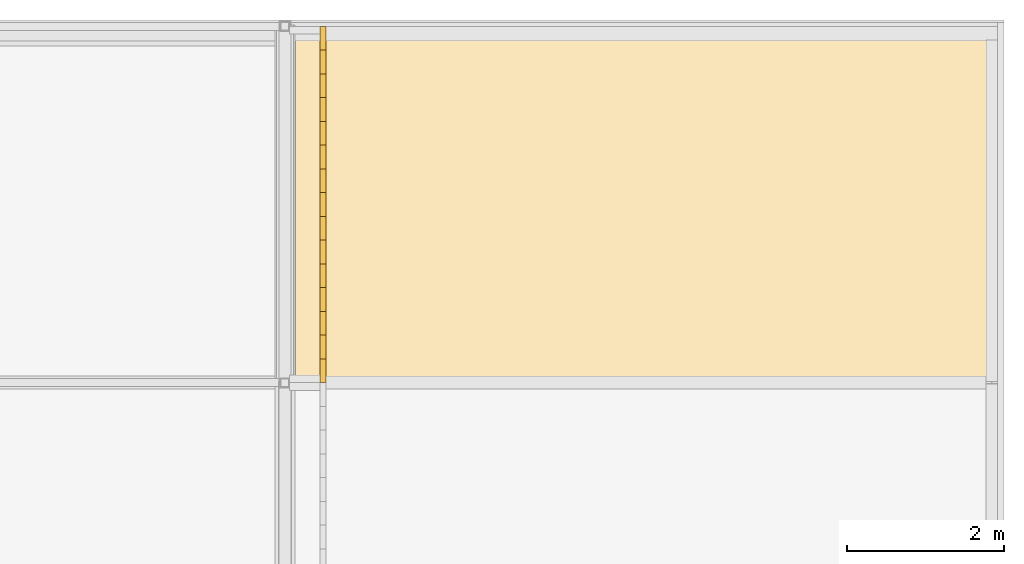
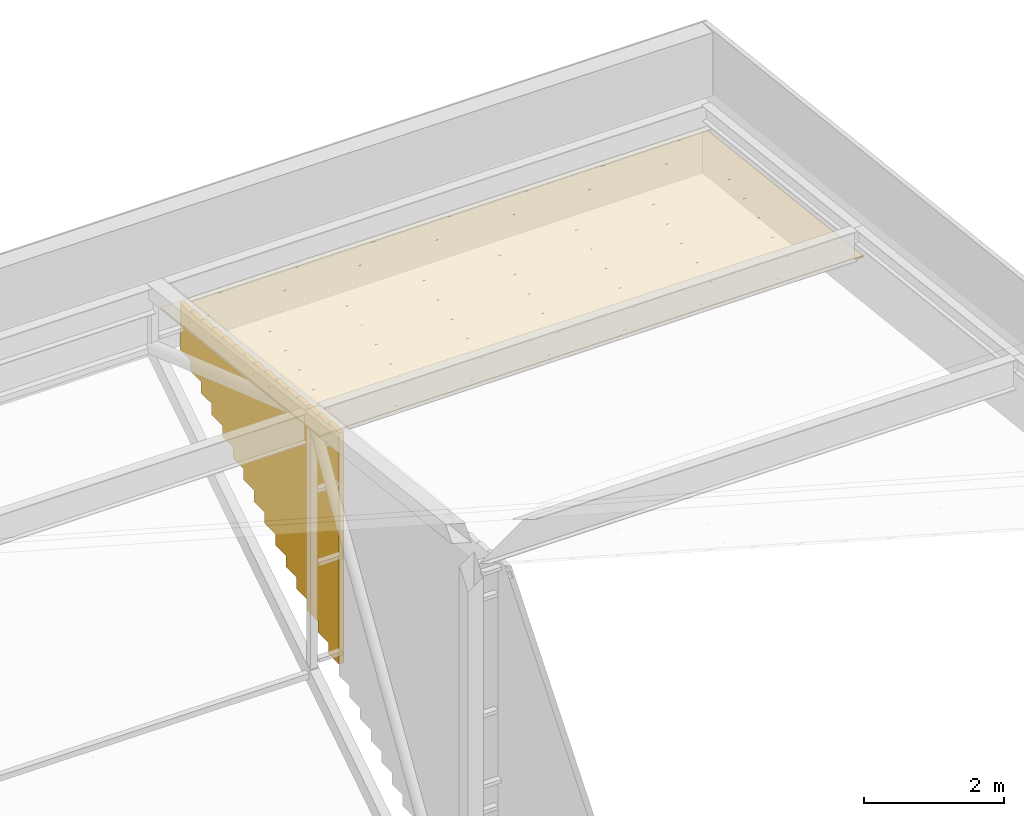
# One storey, part 500 of 500: 1 covering, 1 shading device.
"""IFC4 building model written with IfcOpenShell, lengths in metres."""

from ifc_helpers import new_model, si_unit, direction, frame, origin, origin_2d, place, context, subcontext, project, spatial, polyline, rectangle, outline, extrude, material, layer, layer_set, type_object, element, save


model = new_model("IFC4")

# Units and contexts
model_context = context("Model", 3, precision=1e-05, world=origin(), true_north=direction((0.0, 1.0)))
body_context = subcontext(model_context, "Body", "Model", "MODEL_VIEW")
ifc_project = project(units=[si_unit("LENGTHUNIT", "METRE"), si_unit("AREAUNIT", "SQUARE_METRE"), si_unit("VOLUMEUNIT", "CUBIC_METRE"), si_unit("PLANEANGLEUNIT", "RADIAN"), si_unit("MASSUNIT", "GRAM", prefix="KILO")], contexts=[model_context])

# Site, building, storey
site_placement = place(None, origin())
site = spatial("IfcSite", under=ifc_project, at=site_placement, CompositionType="ELEMENT")
building_placement = place(site_placement, origin())
building = spatial("IfcBuilding", under=site, at=building_placement, Name="Shirokan Park Arena", CompositionType="ELEMENT")
storey_placement = place(building_placement, frame((0.0, 0.0, 29.1201171875)))
storey = spatial("IfcBuildingStorey", under=building, at=storey_placement, Name="L06", CompositionType="ELEMENT", Elevation=29.1201171875)

# Covering
ifc_material_1 = material(Name="Timber soffit boards (cedar)", Category="wood")
ifc_layer = layer(ifc_material_1, 0.030029296875)
ifc_layer_set = layer_set([ifc_layer], Name="Timber soffit boards (cedar) 30 mm")
covering_type = type_object("IfcCoveringType", Name="Timber boarded soffit panel", PredefinedType="CLADDING", material=ifc_layer_set)
covering_placement = place(storey_placement, origin())
element("IfcCovering", 1, at=covering_placement, inside=storey, type_object=covering_type, Name="Rake soffit east bay 28", PredefinedType="CLADDING", context=body_context, shape_type="SweptSolid", body=[
    extrude(outline(polyline([(0.0, 0.0), (0.12000000000000455, 0.0), (0.12000000000000455, -4.579617887990218), (0.0, -4.579617887990218), (0.0, 0.0)])), frame((145.846923828125, 113.75, 11.701904296875), z_axis=(0.0, 0.113546591161, 0.993532672656), x_axis=(-1.0, 0.0, 0.0)), (0.0, 0.0, -1.0), 0.030029296875),
    extrude(outline(polyline([(0.0, 0.0), (0.11999999999997613, 0.0), (0.11999999999997613, -4.579617887990217), (0.0, -4.579617887990217), (0.0, 0.0)])), frame((154.580078125, 118.300048828125, 11.181884765625), z_axis=(0.0, 0.113546591161, 0.993532672656), x_axis=(1.0, 0.0, 0.0)), (0.0, 0.0, -1.0), 0.030029296875),
    extrude(outline(polyline([(0.0, 0.0), (0.12078064455862855, 0.0), (0.12078064455862855, -8.733000000000006), (0.0, -8.733000000000006), (0.0, 0.0)])), frame((154.580078125, 118.300048828125, 11.181884765625), z_axis=(0.0, 0.11351156512, 0.993536675007), x_axis=(0.0, -0.993536675007, 0.11351156512)), (0.0, 0.0, -1.0), 0.030029296875),
    extrude(outline(polyline([(0.0, 0.0), (0.12078064455864267, 0.0), (0.12078064455864267, -8.733000000000004), (0.0, -8.733000000000004), (0.0, 0.0)])), frame((145.846923828125, 113.75, 11.701904296875), z_axis=(0.0, 0.11351156512, 0.993536675007), x_axis=(0.0, 0.993536675007, -0.11351156512)), (0.0, 0.0, -1.0), 0.030029296875),
    extrude(outline(polyline([(0.0, 0.0), (8.733000000000004, 0.0), (8.733000000000004, -0.18452428160000886), (0.0, -0.18452428160000886), (0.0, 0.0)])), frame((154.580078125, 113.8701171875, 11.688232421875), z_axis=(0.0, 0.113589386818, 0.99352778079), x_axis=(-1.0, 0.0, 0.0)), (0.0, 0.0, -1.0), 0.030029296875),
    extrude(outline(polyline([(0.0, 0.0), (8.733000000000004, 0.0), (8.733000000000004, -0.30531372586242256), (0.0, -0.30531372586242256), (0.0, 0.0)])), frame((154.580078125, 114.05322265625, 11.667236328125), z_axis=(0.0, 0.113522573877, 0.993535417195), x_axis=(-1.0, 0.0, 0.0)), (0.0, 0.0, -1.0), 0.030029296875),
    extrude(outline(polyline([(0.0, 0.0), (8.733000000000004, 0.0), (8.733000000000004, -0.30530492593471437), (0.0, -0.30530492593471437), (0.0, 0.0)])), frame((154.580078125, 114.356689453125, 11.632568359375), z_axis=(0.0, 0.113558600124, 0.99353130013), x_axis=(-1.0, 0.0, 0.0)), (0.0, 0.0, -1.0), 0.030029296875),
    extrude(outline(polyline([(0.0, 0.0), (8.733000000000004, 0.0), (8.733000000000004, -0.30530492593471514), (0.0, -0.30530492593471514), (0.0, 0.0)])), frame((154.580078125, 114.659912109375, 11.597900390625), z_axis=(0.0, 0.113558600124, 0.99353130013), x_axis=(-1.0, 0.0, 0.0)), (0.0, 0.0, -1.0), 0.030029296875),
    extrude(outline(polyline([(0.0, 0.0), (8.733000000000004, 0.0), (8.733000000000004, -0.3053137258624367), (0.0, -0.3053137258624367), (0.0, 0.0)])), frame((154.580078125, 114.96337890625, 11.563232421875), z_axis=(0.0, 0.113522573877, 0.993535417195), x_axis=(-1.0, 0.0, 0.0)), (0.0, 0.0, -1.0), 0.030029296875),
    extrude(outline(polyline([(0.0, 0.0), (8.733000000000004, 0.0), (8.733000000000004, -0.30530492593470104), (0.0, -0.30530492593470104), (0.0, 0.0)])), frame((154.580078125, 115.2666015625, 11.528564453125), z_axis=(0.0, 0.113558600124, 0.99353130013), x_axis=(-1.0, 0.0, 0.0)), (0.0, 0.0, -1.0), 0.030029296875),
    extrude(outline(polyline([(0.0, 0.0), (8.733000000000004, 0.0), (8.733000000000004, -0.30530492593471437), (0.0, -0.30530492593471437), (0.0, 0.0)])), frame((154.580078125, 115.570068359375, 11.493896484375), z_axis=(0.0, 0.113558600124, 0.99353130013), x_axis=(-1.0, 0.0, 0.0)), (0.0, 0.0, -1.0), 0.030029296875),
    extrude(outline(polyline([(0.0, 0.0), (8.733000000000004, 0.0), (8.733000000000004, -0.30531372586243666), (0.0, -0.30531372586243666), (0.0, 0.0)])), frame((154.580078125, 115.873291015625, 11.459228515625), z_axis=(0.0, 0.113522573877, 0.993535417195), x_axis=(-1.0, 0.0, 0.0)), (0.0, 0.0, -1.0), 0.030029296875),
    extrude(outline(polyline([(0.0, 0.0), (8.733000000000004, 0.0), (8.733000000000004, -0.3053049259347152), (0.0, -0.3053049259347152), (0.0, 0.0)])), frame((154.580078125, 116.1767578125, 11.424560546875), z_axis=(0.0, 0.113558600124, 0.99353130013), x_axis=(-1.0, 0.0, 0.0)), (0.0, 0.0, -1.0), 0.030029296875),
    extrude(outline(polyline([(0.0, 0.0), (8.733000000000004, 0.0), (8.733000000000004, -0.30530492593471437), (0.0, -0.30530492593471437), (0.0, 0.0)])), frame((154.580078125, 116.47998046875, 11.389892578125), z_axis=(0.0, 0.113558600124, 0.99353130013), x_axis=(-1.0, 0.0, 0.0)), (0.0, 0.0, -1.0), 0.030029296875),
    extrude(outline(polyline([(0.0, 0.0), (8.733000000000004, 0.0), (8.733000000000004, -0.3053137258624234), (0.0, -0.3053137258624234), (0.0, 0.0)])), frame((154.580078125, 116.783447265625, 11.355224609375), z_axis=(0.0, 0.113522573877, 0.993535417195), x_axis=(-1.0, 0.0, 0.0)), (0.0, 0.0, -1.0), 0.030029296875),
    extrude(outline(polyline([(0.0, 0.0), (8.733000000000004, 0.0), (8.733000000000004, -0.30530492593471437), (0.0, -0.30530492593471437), (0.0, 0.0)])), frame((154.580078125, 117.086669921875, 11.320556640625), z_axis=(0.0, 0.113558600124, 0.99353130013), x_axis=(-1.0, 0.0, 0.0)), (0.0, 0.0, -1.0), 0.030029296875),
    extrude(outline(polyline([(0.0, 0.0), (8.733000000000004, 0.0), (8.733000000000004, -0.30530492593471437), (0.0, -0.30530492593471437), (0.0, 0.0)])), frame((154.580078125, 117.389892578125, 11.285888671875), z_axis=(0.0, 0.113558600124, 0.99353130013), x_axis=(-1.0, 0.0, 0.0)), (0.0, 0.0, -1.0), 0.030029296875),
    extrude(outline(polyline([(0.0, 0.0), (8.733000000000004, 0.0), (8.733000000000004, -0.30531372586242334), (0.0, -0.30531372586242334), (0.0, 0.0)])), frame((154.580078125, 117.693359375, 11.251220703125), z_axis=(0.0, 0.113522573877, 0.993535417195), x_axis=(-1.0, 0.0, 0.0)), (0.0, 0.0, -1.0), 0.030029296875),
    extrude(outline(polyline([(0.0, 0.0), (0.18452428160002216, 0.0), (0.18452428160002216, -8.733000000000004), (0.0, -8.733000000000004), (0.0, 0.0)])), frame((154.580078125, 118.179931640625, 11.195556640625), z_axis=(0.0, 0.113589386818, 0.99352778079), x_axis=(0.0, -0.99352778079, 0.113589386818)), (0.0, 0.0, -1.0), 0.030029296875),
])

# Shading device
ifc_material_2 = material(Name="Timber louvre veil (cedar)", Category="wood")
shading_device_type = type_object("IfcShadingDeviceType", Name="Timber louvre veil panel, gable band, closed", PredefinedType="JALOUSIE", material=ifc_material_2)
shading_device_placement = place(storey_placement, origin())
element("IfcShadingDevice", 2, at=shading_device_placement, inside=storey, type_object=shading_device_type, Name="Timber louvre veil gable band east bay 28", PredefinedType="JALOUSIE", context=body_context, shape_type="SweptSolid", body=[
    extrude(outline(polyline([(113.75, 11.63720703125), (113.75, 7.600830078125), (114.05322265625, 7.600830078125), (114.05322265625, 7.796142578125), (114.356689453125, 7.796142578125), (114.356689453125, 7.9912109375), (114.659912109375, 7.9912109375), (114.659912109375, 8.1865234375), (114.96337890625, 8.1865234375), (114.96337890625, 8.381591796875), (115.2666015625, 8.381591796875), (115.2666015625, 8.576904296875), (115.570068359375, 8.576904296875), (115.570068359375, 8.77197265625), (115.873291015625, 8.77197265625), (115.873291015625, 8.967041015625), (116.1767578125, 8.967041015625), (116.1767578125, 9.162353515625), (116.47998046875, 9.162353515625), (116.47998046875, 9.357421875), (116.783447265625, 9.357421875), (116.783447265625, 9.552734375), (117.086669921875, 9.552734375), (117.086669921875, 9.747802734375), (117.389892578125, 9.747802734375), (117.389892578125, 9.94287109375), (117.693359375, 9.94287109375), (117.693359375, 10.13818359375), (117.99658203125, 10.13818359375), (117.99658203125, 10.333251953125), (118.300048828125, 10.333251953125), (118.300048828125, 11.15185546875), (117.99658203125, 11.15185546875), (117.99658203125, 11.1865234375), (117.693359375, 11.1865234375), (117.693359375, 11.22119140625), (117.389892578125, 11.22119140625), (117.389892578125, 11.255859375), (117.086669921875, 11.255859375), (117.086669921875, 11.29052734375), (116.783447265625, 11.29052734375), (116.783447265625, 11.3251953125), (116.47998046875, 11.3251953125), (116.47998046875, 11.35986328125), (116.1767578125, 11.35986328125), (116.1767578125, 11.39453125), (115.873291015625, 11.39453125), (115.873291015625, 11.42919921875), (115.570068359375, 11.42919921875), (115.570068359375, 11.4638671875), (115.2666015625, 11.4638671875), (115.2666015625, 11.49853515625), (114.96337890625, 11.49853515625), (114.96337890625, 11.533203125), (114.659912109375, 11.533203125), (114.659912109375, 11.56787109375), (114.356689453125, 11.56787109375), (114.356689453125, 11.6025390625), (114.05322265625, 11.6025390625), (114.05322265625, 11.63720703125), (113.75, 11.63720703125)])), frame((146.044921875, 0.0, 0.0), z_axis=(1.0, 0.0, 0.0), x_axis=(0.0, 1.0, 0.0)), (0.0, 0.0, 1.0), 0.080078125),
    extrude(rectangle(XDim=0.050048828125, YDim=4.550048828125, at=origin_2d()), frame((146.070068359375, 116.02490234375, 10.70263671875), z_axis=(0.0, 0.0, 1.0), x_axis=(1.0, 0.0, 0.0)), (0.0, 0.0, 1.0), 0.080078125),
])

save(model, "model.ifc")
